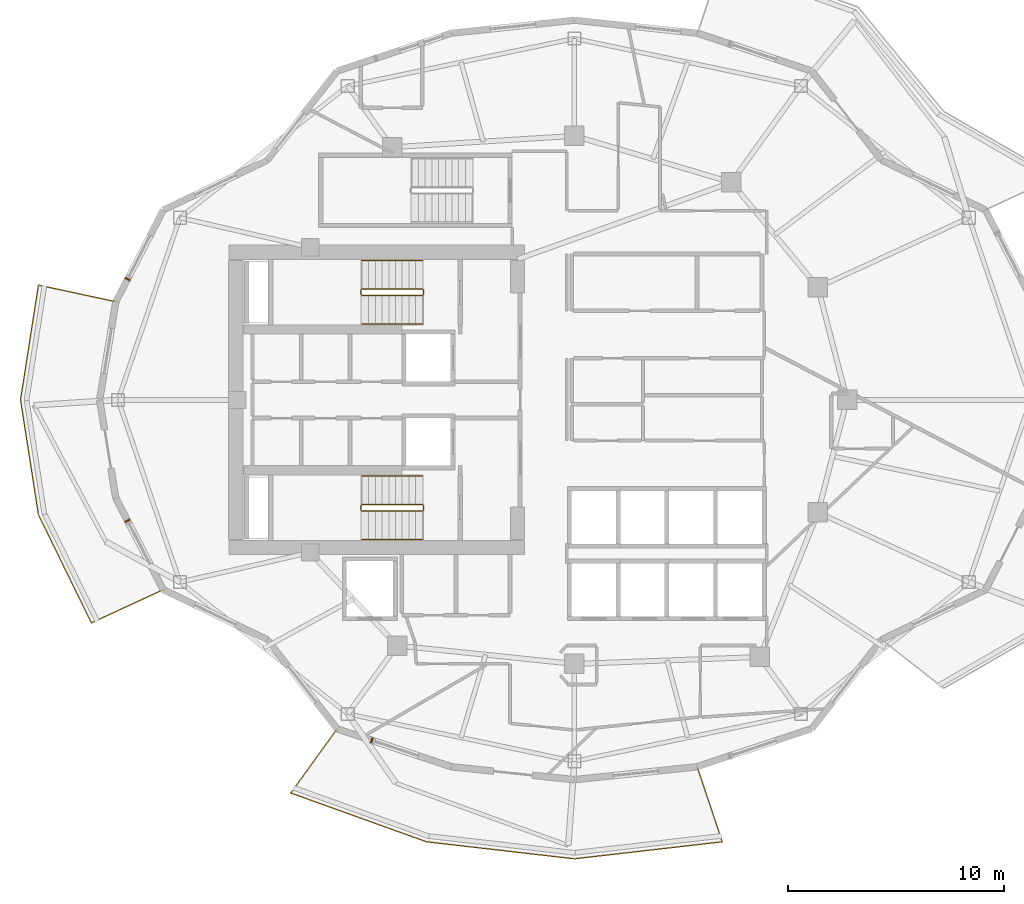
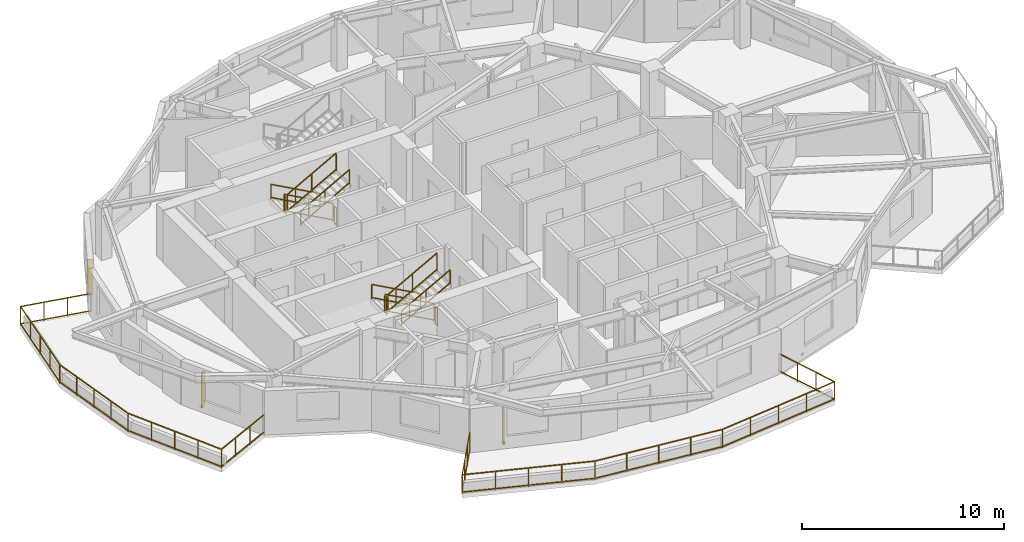
# One storey, part 8 of 11: 14 railings, 3 shading devices.
"""IFC4 building model written with IfcOpenShell, lengths in metres."""

from ifc_helpers import new_model, si_unit, direction, frame, origin, origin_2d, place, context, subcontext, project, spatial, rectangle, extrude, material, type_object, element, save


model = new_model("IFC4")

# Units and contexts
model_context = context("Model", 3, precision=1e-05, world=origin(), true_north=direction((0.0, 1.0)))
body_context = subcontext(model_context, "Body", "Model", "MODEL_VIEW")
ifc_project = project(units=[si_unit("LENGTHUNIT", "METRE"), si_unit("AREAUNIT", "SQUARE_METRE"), si_unit("VOLUMEUNIT", "CUBIC_METRE"), si_unit("PLANEANGLEUNIT", "RADIAN"), si_unit("MASSUNIT", "GRAM", prefix="KILO")], contexts=[model_context])

# Site, building, storey
site_placement = place(None, origin())
site = spatial("IfcSite", under=ifc_project, at=site_placement, CompositionType="ELEMENT")
building_placement = place(site_placement, origin())
building = spatial("IfcBuilding", under=site, at=building_placement, Name="Kolvaren Gate Tower and Convention Centre", CompositionType="ELEMENT")
storey_placement = place(building_placement, frame((0.0, 0.0, 159.699951171875)))
storey = spatial("IfcBuildingStorey", under=building, at=storey_placement, Name="L41", CompositionType="ELEMENT", Elevation=159.699951171875)

# Railings
ifc_material_1 = material(Name="Brushed Stainless Steel Grade 316L", Category="steel")
railing_type_1 = type_object("IfcRailingType", Name="ARCH-RL-GUARD-1150", PredefinedType="GUARDRAIL", material=ifc_material_1)
railing_1_placement = place(storey_placement, frame((23.10009765625, 32.1298828125, 0.170166015625)))
element("IfcRailing", 1, at=railing_1_placement, inside=storey, type_object=railing_type_1, Name="L41 ST-T1 stair guard 1", PredefinedType="GUARDRAIL", context=body_context, shape_type="SweptSolid", body=[
    extrude(rectangle(XDim=0.048095703125, YDim=0.048095703125, at=origin_2d()), frame((0.0, 0.0, 1.076171875), z_axis=(-0.876843711699, 0.0, 0.480775524808), x_axis=(0.0, -1.0, 0.0)), (0.0, 0.0, 1.0), 3.181884765625),
    extrude(rectangle(XDim=0.048095703125, YDim=0.048095703125, at=origin_2d()), frame((0.0, 0.0, 0.083984375), z_axis=(-0.876843711699, 0.0, 0.480775524808), x_axis=(0.0, -1.0, 0.0)), (0.0, 0.0, 1.0), 3.181884765625),
    extrude(rectangle(XDim=0.0419921875, YDim=0.0419921875, at=origin_2d()), origin(), (0.0, 0.0, 1.0), 1.050048828125),
    extrude(rectangle(XDim=0.0419921875, YDim=0.0419921875, at=origin_2d()), frame((-2.7900390625, 0.0, 1.52978515625)), (0.0, 0.0, 1.0), 1.050048828125),
    extrude(rectangle(XDim=0.0419921875, YDim=0.0419921875, at=origin_2d()), frame((-1.39501953125, 0.0, 0.764892578125)), (0.0, 0.0, 1.0), 1.050048828125),
])
railing_2_placement = place(storey_placement, frame((20.260009765625, 32.080078125, 1.699951171875)))
element("IfcRailing", 2, at=railing_2_placement, inside=storey, type_object=railing_type_1, Name="L41 ST-T1 stair guard 2", PredefinedType="GUARDRAIL", context=body_context, shape_type="SweptSolid", body=[
    extrude(rectangle(XDim=0.048095703125, YDim=0.048095703125, at=origin_2d()), frame((0.0, 0.0, 1.076171875), z_axis=(0.0, -1.0, 0.0), x_axis=(1.0, 0.0, 0.0)), (0.0, 0.0, 1.0), 0.2001953125),
    extrude(rectangle(XDim=0.048095703125, YDim=0.048095703125, at=origin_2d()), frame((0.0, 0.0, 0.083984375), z_axis=(0.0, -1.0, 0.0), x_axis=(1.0, 0.0, 0.0)), (0.0, 0.0, 1.0), 0.2001953125),
    extrude(rectangle(XDim=0.0419921875, YDim=0.0419921875, at=origin_2d()), origin(), (0.0, 0.0, 1.0), 1.050048828125),
    extrude(rectangle(XDim=0.0419921875, YDim=0.0419921875, at=origin_2d()), frame((0.0, -0.2001953125, 0.0)), (0.0, 0.0, 1.0), 1.050048828125),
])
railing_3_placement = place(storey_placement, frame((20.31005859375, 31.830078125, 1.8701171875)))
element("IfcRailing", 3, at=railing_3_placement, inside=storey, type_object=railing_type_1, Name="L41 ST-T1 stair guard 3", PredefinedType="GUARDRAIL", context=body_context, shape_type="SweptSolid", body=[
    extrude(rectangle(XDim=0.048095703125, YDim=0.048095703125, at=origin_2d()), frame((0.0, 0.0, 1.076171875), z_axis=(0.876811365212, 0.0, 0.480834513982), x_axis=(0.0, 1.0, 0.0)), (0.0, 0.0, 1.0), 3.18212890625),
    extrude(rectangle(XDim=0.048095703125, YDim=0.048095703125, at=origin_2d()), frame((0.0, 0.0, 0.083984375), z_axis=(0.876811365212, 0.0, 0.480834513982), x_axis=(0.0, 1.0, 0.0)), (0.0, 0.0, 1.0), 3.18212890625),
    extrude(rectangle(XDim=0.0419921875, YDim=0.0419921875, at=origin_2d()), origin(), (0.0, 0.0, 1.0), 1.050048828125),
    extrude(rectangle(XDim=0.0419921875, YDim=0.0419921875, at=origin_2d()), frame((2.7900390625, 0.0, 1.530029296875)), (0.0, 0.0, 1.0), 1.050048828125),
    extrude(rectangle(XDim=0.0419921875, YDim=0.0419921875, at=origin_2d()), frame((1.39501953125, 0.0, 0.76513671875)), (0.0, 0.0, 1.0), 1.050048828125),
])
railing_4_placement = place(storey_placement, frame((23.14990234375, 32.080078125, 0.0)))
element("IfcRailing", 4, at=railing_4_placement, inside=storey, type_object=railing_type_1, Name="L41 ST-T1 stair guard 4", PredefinedType="GUARDRAIL", context=body_context, shape_type="SweptSolid", body=[
    extrude(rectangle(XDim=0.048095703125, YDim=0.048095703125, at=origin_2d()), frame((0.0, 0.0, 1.076171875), z_axis=(0.0, -1.0, 0.0), x_axis=(1.0, 0.0, 0.0)), (0.0, 0.0, 1.0), 0.2001953125),
    extrude(rectangle(XDim=0.048095703125, YDim=0.048095703125, at=origin_2d()), frame((0.0, 0.0, 0.083984375), z_axis=(0.0, -1.0, 0.0), x_axis=(1.0, 0.0, 0.0)), (0.0, 0.0, 1.0), 0.2001953125),
    extrude(rectangle(XDim=0.0419921875, YDim=0.0419921875, at=origin_2d()), origin(), (0.0, 0.0, 1.0), 1.050048828125),
    extrude(rectangle(XDim=0.0419921875, YDim=0.0419921875, at=origin_2d()), frame((0.0, -0.2001953125, 0.0)), (0.0, 0.0, 1.0), 1.050048828125),
])
railing_5_placement = place(storey_placement, frame((23.10009765625, 22.169921875, 0.170166015625)))
element("IfcRailing", 5, at=railing_5_placement, inside=storey, type_object=railing_type_1, Name="L41 ST-T2 stair guard 1", PredefinedType="GUARDRAIL", context=body_context, shape_type="SweptSolid", body=[
    extrude(rectangle(XDim=0.048095703125, YDim=0.048095703125, at=origin_2d()), frame((0.0, 0.0, 1.076171875), z_axis=(-0.876843711699, 0.0, 0.480775524808), x_axis=(0.0, -1.0, 0.0)), (0.0, 0.0, 1.0), 3.181884765625),
    extrude(rectangle(XDim=0.048095703125, YDim=0.048095703125, at=origin_2d()), frame((0.0, 0.0, 0.083984375), z_axis=(-0.876843711699, 0.0, 0.480775524808), x_axis=(0.0, -1.0, 0.0)), (0.0, 0.0, 1.0), 3.181884765625),
    extrude(rectangle(XDim=0.0419921875, YDim=0.0419921875, at=origin_2d()), origin(), (0.0, 0.0, 1.0), 1.050048828125),
    extrude(rectangle(XDim=0.0419921875, YDim=0.0419921875, at=origin_2d()), frame((-2.7900390625, 0.0, 1.52978515625)), (0.0, 0.0, 1.0), 1.050048828125),
    extrude(rectangle(XDim=0.0419921875, YDim=0.0419921875, at=origin_2d()), frame((-1.39501953125, 0.0, 0.764892578125)), (0.0, 0.0, 1.0), 1.050048828125),
])
railing_6_placement = place(storey_placement, frame((20.260009765625, 22.1201171875, 1.699951171875)))
element("IfcRailing", 6, at=railing_6_placement, inside=storey, type_object=railing_type_1, Name="L41 ST-T2 stair guard 2", PredefinedType="GUARDRAIL", context=body_context, shape_type="SweptSolid", body=[
    extrude(rectangle(XDim=0.048095703125, YDim=0.048095703125, at=origin_2d()), frame((0.0, 0.0, 1.076171875), z_axis=(0.0, -1.0, 0.0), x_axis=(1.0, 0.0, 0.0)), (0.0, 0.0, 1.0), 0.2001953125),
    extrude(rectangle(XDim=0.048095703125, YDim=0.048095703125, at=origin_2d()), frame((0.0, 0.0, 0.083984375), z_axis=(0.0, -1.0, 0.0), x_axis=(1.0, 0.0, 0.0)), (0.0, 0.0, 1.0), 0.2001953125),
    extrude(rectangle(XDim=0.0419921875, YDim=0.0419921875, at=origin_2d()), origin(), (0.0, 0.0, 1.0), 1.050048828125),
    extrude(rectangle(XDim=0.0419921875, YDim=0.0419921875, at=origin_2d()), frame((0.0, -0.2001953125, 0.0)), (0.0, 0.0, 1.0), 1.050048828125),
])
railing_7_placement = place(storey_placement, frame((20.31005859375, 21.8701171875, 1.8701171875)))
element("IfcRailing", 7, at=railing_7_placement, inside=storey, type_object=railing_type_1, Name="L41 ST-T2 stair guard 3", PredefinedType="GUARDRAIL", context=body_context, shape_type="SweptSolid", body=[
    extrude(rectangle(XDim=0.048095703125, YDim=0.048095703125, at=origin_2d()), frame((0.0, 0.0, 1.076171875), z_axis=(0.876811365212, 0.0, 0.480834513982), x_axis=(0.0, 1.0, 0.0)), (0.0, 0.0, 1.0), 3.18212890625),
    extrude(rectangle(XDim=0.048095703125, YDim=0.048095703125, at=origin_2d()), frame((0.0, 0.0, 0.083984375), z_axis=(0.876811365212, 0.0, 0.480834513982), x_axis=(0.0, 1.0, 0.0)), (0.0, 0.0, 1.0), 3.18212890625),
    extrude(rectangle(XDim=0.0419921875, YDim=0.0419921875, at=origin_2d()), origin(), (0.0, 0.0, 1.0), 1.050048828125),
    extrude(rectangle(XDim=0.0419921875, YDim=0.0419921875, at=origin_2d()), frame((2.7900390625, 0.0, 1.530029296875)), (0.0, 0.0, 1.0), 1.050048828125),
    extrude(rectangle(XDim=0.0419921875, YDim=0.0419921875, at=origin_2d()), frame((1.39501953125, 0.0, 0.76513671875)), (0.0, 0.0, 1.0), 1.050048828125),
])
railing_8_placement = place(storey_placement, frame((23.14990234375, 22.1201171875, 0.0)))
element("IfcRailing", 8, at=railing_8_placement, inside=storey, type_object=railing_type_1, Name="L41 ST-T2 stair guard 4", PredefinedType="GUARDRAIL", context=body_context, shape_type="SweptSolid", body=[
    extrude(rectangle(XDim=0.048095703125, YDim=0.048095703125, at=origin_2d()), frame((0.0, 0.0, 1.076171875), z_axis=(0.0, -1.0, 0.0), x_axis=(1.0, 0.0, 0.0)), (0.0, 0.0, 1.0), 0.2001953125),
    extrude(rectangle(XDim=0.048095703125, YDim=0.048095703125, at=origin_2d()), frame((0.0, 0.0, 0.083984375), z_axis=(0.0, -1.0, 0.0), x_axis=(1.0, 0.0, 0.0)), (0.0, 0.0, 1.0), 0.2001953125),
    extrude(rectangle(XDim=0.0419921875, YDim=0.0419921875, at=origin_2d()), origin(), (0.0, 0.0, 1.0), 1.050048828125),
    extrude(rectangle(XDim=0.0419921875, YDim=0.0419921875, at=origin_2d()), frame((0.0, -0.2001953125, 0.0)), (0.0, 0.0, 1.0), 1.050048828125),
])
railing_9_placement = place(storey_placement, frame((8.93505859375, 31.542236328125, 0.0)))
element("IfcRailing", 9, at=railing_9_placement, inside=storey, type_object=railing_type_1, Name="Tower L41 Terrace Perimeter Guardrail GR-2", PredefinedType="GUARDRAIL", context=body_context, shape_type="SweptSolid", body=[
    extrude(rectangle(XDim=0.048095703125, YDim=0.048095703125, at=origin_2d()), frame((-0.02734375, 0.005859375, 1.1259765625), z_axis=(-0.977791675321, 0.209579196661, 0.0), x_axis=(-0.209579196661, -0.977791675321, 0.0)), (0.0, 0.0, 1.0), 3.60400390625),
    extrude(rectangle(XDim=0.048095703125, YDim=0.048095703125, at=origin_2d()), frame((-0.02734375, 0.005859375, 0.083984375), z_axis=(-0.977791675321, 0.209579196661, 0.0), x_axis=(-0.209579196661, -0.977791675321, 0.0)), (0.0, 0.0, 1.0), 3.60400390625),
    extrude(rectangle(XDim=0.048095703125, YDim=0.048095703125, at=origin_2d()), frame((-3.583251953125, 0.7392578125, 1.1259765625), z_axis=(-0.154200861408, -0.988039520637, 0.0), x_axis=(0.988039520637, -0.154200861408, 0.0)), (0.0, 0.0, 1.0), 5.3173828125),
    extrude(rectangle(XDim=0.048095703125, YDim=0.048095703125, at=origin_2d()), frame((-3.583251953125, 0.7392578125, 0.083984375), z_axis=(-0.154200861408, -0.988039520637, 0.0), x_axis=(0.988039520637, -0.154200861408, 0.0)), (0.0, 0.0, 1.0), 5.3173828125),
    extrude(rectangle(XDim=0.048095703125, YDim=0.048095703125, at=origin_2d()), frame((-4.403076171875, -4.570068359375, 1.1259765625), z_axis=(0.154200861408, -0.988039520637, 0.0), x_axis=(0.988039520637, 0.154200861408, 0.0)), (0.0, 0.0, 1.0), 5.3173828125),
    extrude(rectangle(XDim=0.048095703125, YDim=0.048095703125, at=origin_2d()), frame((-4.403076171875, -4.570068359375, 0.083984375), z_axis=(0.154200861408, -0.988039520637, 0.0), x_axis=(0.988039520637, 0.154200861408, 0.0)), (0.0, 0.0, 1.0), 5.3173828125),
    extrude(rectangle(XDim=0.048095703125, YDim=0.048095703125, at=origin_2d()), frame((-3.56640625, -9.876708984375, 1.1259765625), z_axis=(0.439655234701, -0.898166618507, 0.0), x_axis=(0.898166618507, 0.439655234701, 0.0)), (0.0, 0.0, 1.0), 5.51123046875),
    extrude(rectangle(XDim=0.048095703125, YDim=0.048095703125, at=origin_2d()), frame((-3.56640625, -9.876708984375, 0.083984375), z_axis=(0.439655234701, -0.898166618507, 0.0), x_axis=(0.898166618507, 0.439655234701, 0.0)), (0.0, 0.0, 1.0), 5.51123046875),
    extrude(rectangle(XDim=0.048095703125, YDim=0.048095703125, at=origin_2d()), frame((-1.105712890625, -14.84033203125, 1.1259765625), z_axis=(0.907820723829, 0.419358478377, 0.0), x_axis=(-0.419358478377, 0.907820723829, 0.0)), (0.0, 0.0, 1.0), 3.60400390625),
    extrude(rectangle(XDim=0.048095703125, YDim=0.048095703125, at=origin_2d()), frame((-1.105712890625, -14.84033203125, 0.083984375), z_axis=(0.907820723829, 0.419358478377, 0.0), x_axis=(-0.419358478377, 0.907820723829, 0.0)), (0.0, 0.0, 1.0), 3.60400390625),
    extrude(rectangle(XDim=0.0419921875, YDim=0.0419921875, at=origin_2d()), origin(), (0.0, 0.0, 1.0), 1.14990234375),
    extrude(rectangle(XDim=0.0419921875, YDim=0.0419921875, at=origin_2d()), frame((-3.578857421875, 0.76708984375, 0.0)), (0.0, 0.0, 1.0), 1.14990234375),
    extrude(rectangle(XDim=0.0419921875, YDim=0.0419921875, at=origin_2d()), frame((-1.19287109375, 0.255615234375, 0.0)), (0.0, 0.0, 1.0), 1.099853515625),
    extrude(rectangle(XDim=0.0419921875, YDim=0.0419921875, at=origin_2d()), frame((-2.385986328125, 0.511474609375, 0.0)), (0.0, 0.0, 1.0), 1.099853515625),
    extrude(rectangle(XDim=0.0419921875, YDim=0.0419921875, at=origin_2d()), frame((-4.407470703125, -4.542236328125, 0.0)), (0.0, 0.0, 1.0), 1.14990234375),
    extrude(rectangle(XDim=0.0419921875, YDim=0.0419921875, at=origin_2d()), frame((-3.7861328125, -0.560302734375, 0.0)), (0.0, 0.0, 1.0), 1.099853515625),
    extrude(rectangle(XDim=0.0419921875, YDim=0.0419921875, at=origin_2d()), frame((-3.9931640625, -1.8876953125, 0.0)), (0.0, 0.0, 1.0), 1.099853515625),
    extrude(rectangle(XDim=0.0419921875, YDim=0.0419921875, at=origin_2d()), frame((-4.2001953125, -3.21484375, 0.0)), (0.0, 0.0, 1.0), 1.099853515625),
    extrude(rectangle(XDim=0.0419921875, YDim=0.0419921875, at=origin_2d()), frame((-3.578857421875, -9.8515625, 0.0)), (0.0, 0.0, 1.0), 1.14990234375),
    extrude(rectangle(XDim=0.0419921875, YDim=0.0419921875, at=origin_2d()), frame((-4.2001953125, -5.86962890625, 0.0)), (0.0, 0.0, 1.0), 1.099853515625),
    extrude(rectangle(XDim=0.0419921875, YDim=0.0419921875, at=origin_2d()), frame((-3.9931640625, -7.19677734375, 0.0)), (0.0, 0.0, 1.0), 1.099853515625),
    extrude(rectangle(XDim=0.0419921875, YDim=0.0419921875, at=origin_2d()), frame((-3.7861328125, -8.524169921875, 0.0)), (0.0, 0.0, 1.0), 1.099853515625),
    extrude(rectangle(XDim=0.0419921875, YDim=0.0419921875, at=origin_2d()), frame((-1.131103515625, -14.85205078125, 0.0)), (0.0, 0.0, 1.0), 1.14990234375),
    extrude(rectangle(XDim=0.0419921875, YDim=0.0419921875, at=origin_2d()), frame((-2.966796875, -11.1015625, 0.0)), (0.0, 0.0, 1.0), 1.099853515625),
    extrude(rectangle(XDim=0.0419921875, YDim=0.0419921875, at=origin_2d()), frame((-2.35498046875, -12.351806640625, 0.0)), (0.0, 0.0, 1.0), 1.099853515625),
    extrude(rectangle(XDim=0.0419921875, YDim=0.0419921875, at=origin_2d()), frame((-1.7431640625, -13.60205078125, 0.0)), (0.0, 0.0, 1.0), 1.099853515625),
    extrude(rectangle(XDim=0.0419921875, YDim=0.0419921875, at=origin_2d()), frame((2.191650390625, -13.317138671875, 0.0)), (0.0, 0.0, 1.0), 1.14990234375),
    extrude(rectangle(XDim=0.0419921875, YDim=0.0419921875, at=origin_2d()), frame((-0.0234375, -14.34033203125, 0.0)), (0.0, 0.0, 1.0), 1.099853515625),
    extrude(rectangle(XDim=0.0419921875, YDim=0.0419921875, at=origin_2d()), frame((1.083984375, -13.828857421875, 0.0)), (0.0, 0.0, 1.0), 1.099853515625),
])
railing_10_placement = place(storey_placement, frame((19.15625, 11.80126953125, 0.0)))
element("IfcRailing", 10, at=railing_10_placement, inside=storey, type_object=railing_type_1, Name="Tower L41 Terrace Perimeter Guardrail GR-3", PredefinedType="GUARDRAIL", context=body_context, shape_type="SweptSolid", body=[
    extrude(rectangle(XDim=0.048095703125, YDim=0.048095703125, at=origin_2d()), frame((-0.016357421875, -0.022705078125, 1.1259765625), z_axis=(-0.585212870465, -0.810879705161, 0.0), x_axis=(0.810879705161, -0.585212870465, 0.0)), (0.0, 0.0, 1.0), 3.603759765625),
    extrude(rectangle(XDim=0.048095703125, YDim=0.048095703125, at=origin_2d()), frame((-0.016357421875, -0.022705078125, 0.083984375), z_axis=(-0.585212870465, -0.810879705161, 0.0), x_axis=(0.810879705161, -0.585212870465, 0.0)), (0.0, 0.0, 1.0), 3.603759765625),
    extrude(rectangle(XDim=0.048095703125, YDim=0.048095703125, at=origin_2d()), frame((-2.115478515625, -2.977294921875, 1.1259765625), z_axis=(0.940948576924, -0.338549517184, 0.0), x_axis=(0.338549517184, 0.940948576924, 0.0)), (0.0, 0.0, 1.0), 6.60791015625),
    extrude(rectangle(XDim=0.048095703125, YDim=0.048095703125, at=origin_2d()), frame((-2.115478515625, -2.977294921875, 0.083984375), z_axis=(0.940948576924, -0.338549517184, 0.0), x_axis=(0.338549517184, 0.940948576924, 0.0)), (0.0, 0.0, 1.0), 6.60791015625),
    extrude(rectangle(XDim=0.048095703125, YDim=0.048095703125, at=origin_2d()), frame((4.156494140625, -5.22705078125, 1.1259765625), z_axis=(0.993440112849, -0.114353584036, 0.0), x_axis=(0.114353584036, 0.993440112849, 0.0)), (0.0, 0.0, 1.0), 6.8291015625),
    extrude(rectangle(XDim=0.048095703125, YDim=0.048095703125, at=origin_2d()), frame((4.156494140625, -5.22705078125, 0.083984375), z_axis=(0.993440112849, -0.114353584036, 0.0), x_axis=(0.114353584036, 0.993440112849, 0.0)), (0.0, 0.0, 1.0), 6.8291015625),
    extrude(rectangle(XDim=0.048095703125, YDim=0.048095703125, at=origin_2d()), frame((10.99658203125, -6.008056640625, 1.1259765625), z_axis=(0.993440112849, 0.114353584036, 0.0), x_axis=(-0.114353584036, 0.993440112849, 0.0)), (0.0, 0.0, 1.0), 6.8291015625),
    extrude(rectangle(XDim=0.048095703125, YDim=0.048095703125, at=origin_2d()), frame((10.99658203125, -6.008056640625, 0.083984375), z_axis=(0.993440112849, 0.114353584036, 0.0), x_axis=(-0.114353584036, 0.993440112849, 0.0)), (0.0, 0.0, 1.0), 6.8291015625),
    extrude(rectangle(XDim=0.048095703125, YDim=0.048095703125, at=origin_2d()), frame((17.800048828125, -5.197265625, 1.1259765625), z_axis=(-0.317568160167, 0.94823544737, 0.0), x_axis=(-0.94823544737, -0.317568160167, 0.0)), (0.0, 0.0, 1.0), 3.60400390625),
    extrude(rectangle(XDim=0.048095703125, YDim=0.048095703125, at=origin_2d()), frame((17.800048828125, -5.197265625, 0.083984375), z_axis=(-0.317568160167, 0.94823544737, 0.0), x_axis=(-0.94823544737, -0.317568160167, 0.0)), (0.0, 0.0, 1.0), 3.60400390625),
    extrude(rectangle(XDim=0.0419921875, YDim=0.0419921875, at=origin_2d()), origin(), (0.0, 0.0, 1.0), 1.14990234375),
    extrude(rectangle(XDim=0.0419921875, YDim=0.0419921875, at=origin_2d()), frame((-2.141845703125, -2.9677734375, 0.0)), (0.0, 0.0, 1.0), 1.14990234375),
    extrude(rectangle(XDim=0.0419921875, YDim=0.0419921875, at=origin_2d()), frame((-0.7138671875, -0.9892578125, 0.0)), (0.0, 0.0, 1.0), 1.099853515625),
    extrude(rectangle(XDim=0.0419921875, YDim=0.0419921875, at=origin_2d()), frame((-1.427978515625, -1.978515625, 0.0)), (0.0, 0.0, 1.0), 1.099853515625),
    extrude(rectangle(XDim=0.0419921875, YDim=0.0419921875, at=origin_2d()), frame((4.128662109375, -5.223876953125, 0.0)), (0.0, 0.0, 1.0), 1.14990234375),
    extrude(rectangle(XDim=0.0419921875, YDim=0.0419921875, at=origin_2d()), frame((-0.57421875, -3.53173828125, 0.0)), (0.0, 0.0, 1.0), 1.099853515625),
    extrude(rectangle(XDim=0.0419921875, YDim=0.0419921875, at=origin_2d()), frame((0.993408203125, -4.095703125, 0.0)), (0.0, 0.0, 1.0), 1.099853515625),
    extrude(rectangle(XDim=0.0419921875, YDim=0.0419921875, at=origin_2d()), frame((2.56103515625, -4.659912109375, 0.0)), (0.0, 0.0, 1.0), 1.099853515625),
    extrude(rectangle(XDim=0.0419921875, YDim=0.0419921875, at=origin_2d()), frame((10.96875, -6.01123046875, 0.0)), (0.0, 0.0, 1.0), 1.14990234375),
    extrude(rectangle(XDim=0.0419921875, YDim=0.0419921875, at=origin_2d()), frame((5.838623046875, -5.420654296875, 0.0)), (0.0, 0.0, 1.0), 1.099853515625),
    extrude(rectangle(XDim=0.0419921875, YDim=0.0419921875, at=origin_2d()), frame((7.548828125, -5.61767578125, 0.0)), (0.0, 0.0, 1.0), 1.099853515625),
    extrude(rectangle(XDim=0.0419921875, YDim=0.0419921875, at=origin_2d()), frame((9.2587890625, -5.814453125, 0.0)), (0.0, 0.0, 1.0), 1.099853515625),
    extrude(rectangle(XDim=0.0419921875, YDim=0.0419921875, at=origin_2d()), frame((17.808837890625, -5.223876953125, 0.0)), (0.0, 0.0, 1.0), 1.14990234375),
    extrude(rectangle(XDim=0.0419921875, YDim=0.0419921875, at=origin_2d()), frame((12.6787109375, -5.814453125, 0.0)), (0.0, 0.0, 1.0), 1.099853515625),
    extrude(rectangle(XDim=0.0419921875, YDim=0.0419921875, at=origin_2d()), frame((14.388671875, -5.61767578125, 0.0)), (0.0, 0.0, 1.0), 1.099853515625),
    extrude(rectangle(XDim=0.0419921875, YDim=0.0419921875, at=origin_2d()), frame((16.098876953125, -5.420654296875, 0.0)), (0.0, 0.0, 1.0), 1.099853515625),
    extrude(rectangle(XDim=0.0419921875, YDim=0.0419921875, at=origin_2d()), frame((16.646484375, -1.753173828125, 0.0)), (0.0, 0.0, 1.0), 1.14990234375),
    extrude(rectangle(XDim=0.0419921875, YDim=0.0419921875, at=origin_2d()), frame((17.42138671875, -4.06689453125, 0.0)), (0.0, 0.0, 1.0), 1.099853515625),
    extrude(rectangle(XDim=0.0419921875, YDim=0.0419921875, at=origin_2d()), frame((17.033935546875, -2.91015625, 0.0)), (0.0, 0.0, 1.0), 1.099853515625),
])
railing_type_2 = type_object("IfcRailingType", Name="ARCH-RL-HANDRAIL-920", PredefinedType="HANDRAIL", material=ifc_material_1)
railing_11_placement = place(storey_placement, frame((23.10009765625, 33.449951171875, 0.170166015625)))
element("IfcRailing", 11, at=railing_11_placement, inside=storey, type_object=railing_type_2, Name="L41 ST-T1 stair handrail 1", PredefinedType="HANDRAIL", context=body_context, shape_type="SweptSolid", body=[
    extrude(rectangle(XDim=0.048095703125, YDim=0.048095703125, at=origin_2d()), frame((0.0, 0.0, 0.8759765625), z_axis=(-0.876843711699, 0.0, 0.480775524808), x_axis=(0.0, -1.0, 0.0)), (0.0, 0.0, 1.0), 3.181884765625),
    extrude(rectangle(XDim=0.048095703125, YDim=0.048095703125, at=origin_2d()), frame((0.0, 0.0, 0.083984375), z_axis=(-0.876843711699, 0.0, 0.480775524808), x_axis=(0.0, -1.0, 0.0)), (0.0, 0.0, 1.0), 3.181884765625),
    extrude(rectangle(XDim=0.0419921875, YDim=0.0419921875, at=origin_2d()), origin(), (0.0, 0.0, 1.0), 0.849853515625),
    extrude(rectangle(XDim=0.0419921875, YDim=0.0419921875, at=origin_2d()), frame((-2.7900390625, 0.0, 1.52978515625)), (0.0, 0.0, 1.0), 0.849853515625),
    extrude(rectangle(XDim=0.0419921875, YDim=0.0419921875, at=origin_2d()), frame((-1.39501953125, 0.0, 0.764892578125)), (0.0, 0.0, 1.0), 0.849853515625),
])
railing_12_placement = place(storey_placement, frame((20.31005859375, 30.510009765625, 1.8701171875)))
element("IfcRailing", 12, at=railing_12_placement, inside=storey, type_object=railing_type_2, Name="L41 ST-T1 stair handrail 2", PredefinedType="HANDRAIL", context=body_context, shape_type="SweptSolid", body=[
    extrude(rectangle(XDim=0.048095703125, YDim=0.048095703125, at=origin_2d()), frame((0.0, 0.0, 0.8759765625), z_axis=(0.876811365212, 0.0, 0.480834513982), x_axis=(0.0, 1.0, 0.0)), (0.0, 0.0, 1.0), 3.18212890625),
    extrude(rectangle(XDim=0.048095703125, YDim=0.048095703125, at=origin_2d()), frame((0.0, 0.0, 0.083984375), z_axis=(0.876811365212, 0.0, 0.480834513982), x_axis=(0.0, 1.0, 0.0)), (0.0, 0.0, 1.0), 3.18212890625),
    extrude(rectangle(XDim=0.0419921875, YDim=0.0419921875, at=origin_2d()), origin(), (0.0, 0.0, 1.0), 0.849853515625),
    extrude(rectangle(XDim=0.0419921875, YDim=0.0419921875, at=origin_2d()), frame((2.7900390625, 0.0, 1.530029296875)), (0.0, 0.0, 1.0), 0.849853515625),
    extrude(rectangle(XDim=0.0419921875, YDim=0.0419921875, at=origin_2d()), frame((1.39501953125, 0.0, 0.76513671875)), (0.0, 0.0, 1.0), 0.849853515625),
])
railing_13_placement = place(storey_placement, frame((23.10009765625, 23.489990234375, 0.170166015625)))
element("IfcRailing", 13, at=railing_13_placement, inside=storey, type_object=railing_type_2, Name="L41 ST-T2 stair handrail 1", PredefinedType="HANDRAIL", context=body_context, shape_type="SweptSolid", body=[
    extrude(rectangle(XDim=0.048095703125, YDim=0.048095703125, at=origin_2d()), frame((0.0, 0.0, 0.8759765625), z_axis=(-0.876843711699, 0.0, 0.480775524808), x_axis=(0.0, -1.0, 0.0)), (0.0, 0.0, 1.0), 3.181884765625),
    extrude(rectangle(XDim=0.048095703125, YDim=0.048095703125, at=origin_2d()), frame((0.0, 0.0, 0.083984375), z_axis=(-0.876843711699, 0.0, 0.480775524808), x_axis=(0.0, -1.0, 0.0)), (0.0, 0.0, 1.0), 3.181884765625),
    extrude(rectangle(XDim=0.0419921875, YDim=0.0419921875, at=origin_2d()), origin(), (0.0, 0.0, 1.0), 0.849853515625),
    extrude(rectangle(XDim=0.0419921875, YDim=0.0419921875, at=origin_2d()), frame((-2.7900390625, 0.0, 1.52978515625)), (0.0, 0.0, 1.0), 0.849853515625),
    extrude(rectangle(XDim=0.0419921875, YDim=0.0419921875, at=origin_2d()), frame((-1.39501953125, 0.0, 0.764892578125)), (0.0, 0.0, 1.0), 0.849853515625),
])
railing_14_placement = place(storey_placement, frame((20.31005859375, 20.550048828125, 1.8701171875)))
element("IfcRailing", 14, at=railing_14_placement, inside=storey, type_object=railing_type_2, Name="L41 ST-T2 stair handrail 2", PredefinedType="HANDRAIL", context=body_context, shape_type="SweptSolid", body=[
    extrude(rectangle(XDim=0.048095703125, YDim=0.048095703125, at=origin_2d()), frame((0.0, 0.0, 0.8759765625), z_axis=(0.876811365212, 0.0, 0.480834513982), x_axis=(0.0, 1.0, 0.0)), (0.0, 0.0, 1.0), 3.18212890625),
    extrude(rectangle(XDim=0.048095703125, YDim=0.048095703125, at=origin_2d()), frame((0.0, 0.0, 0.083984375), z_axis=(0.876811365212, 0.0, 0.480834513982), x_axis=(0.0, 1.0, 0.0)), (0.0, 0.0, 1.0), 3.18212890625),
    extrude(rectangle(XDim=0.0419921875, YDim=0.0419921875, at=origin_2d()), origin(), (0.0, 0.0, 1.0), 0.849853515625),
    extrude(rectangle(XDim=0.0419921875, YDim=0.0419921875, at=origin_2d()), frame((2.7900390625, 0.0, 1.530029296875)), (0.0, 0.0, 1.0), 0.849853515625),
    extrude(rectangle(XDim=0.0419921875, YDim=0.0419921875, at=origin_2d()), frame((1.39501953125, 0.0, 0.76513671875)), (0.0, 0.0, 1.0), 0.849853515625),
])

# Shading devices
ifc_material_2 = material(Name="Kiln-Fired Bogota Terracotta Ceramic Louvre Profile", Category="masonry")
shading_device_type = type_object("IfcShadingDeviceType", Name="ARCH-SHD-FIN-180", PredefinedType="JALOUSIE", material=ifc_material_2)
for number, where, z_axis, x_axis, name in (
    (15, (9.474365234375, 32.583984375, 0.22021484375), (0.0, 0.0, 1.0), (0.459798409467, 0.888023323259, 0.0), "Ceramic Vertical Brise-Soleil Fin FN-L41-10"),
    (16, (9.474365234375, 21.416015625, 0.22021484375), (0.0, 0.0, 1.0), (0.459798409467, -0.888023323259, 0.0), "Ceramic Vertical Brise-Soleil Fin FN-L41-13"),
    (17, (20.760498046875, 11.269775390625, 0.22021484375), (0.0, 0.0, 1.0), (0.949239532616, -0.314554144335, 0.0), "Ceramic Vertical Brise-Soleil Fin FN-L41-16"),
):
    element("IfcShadingDevice", number, at=place(storey_placement, frame(where, z_axis=z_axis, x_axis=x_axis)), inside=storey, type_object=shading_device_type, Name=name, PredefinedType="JALOUSIE", context=body_context, shape_type="SweptSolid", body=[
        extrude(rectangle(XDim=0.06005859375, YDim=0.239990234375, at=origin_2d()), origin(), (0.0, 0.0, 1.0), 2.14990234375),
    ])

save(model, "model.ifc")
